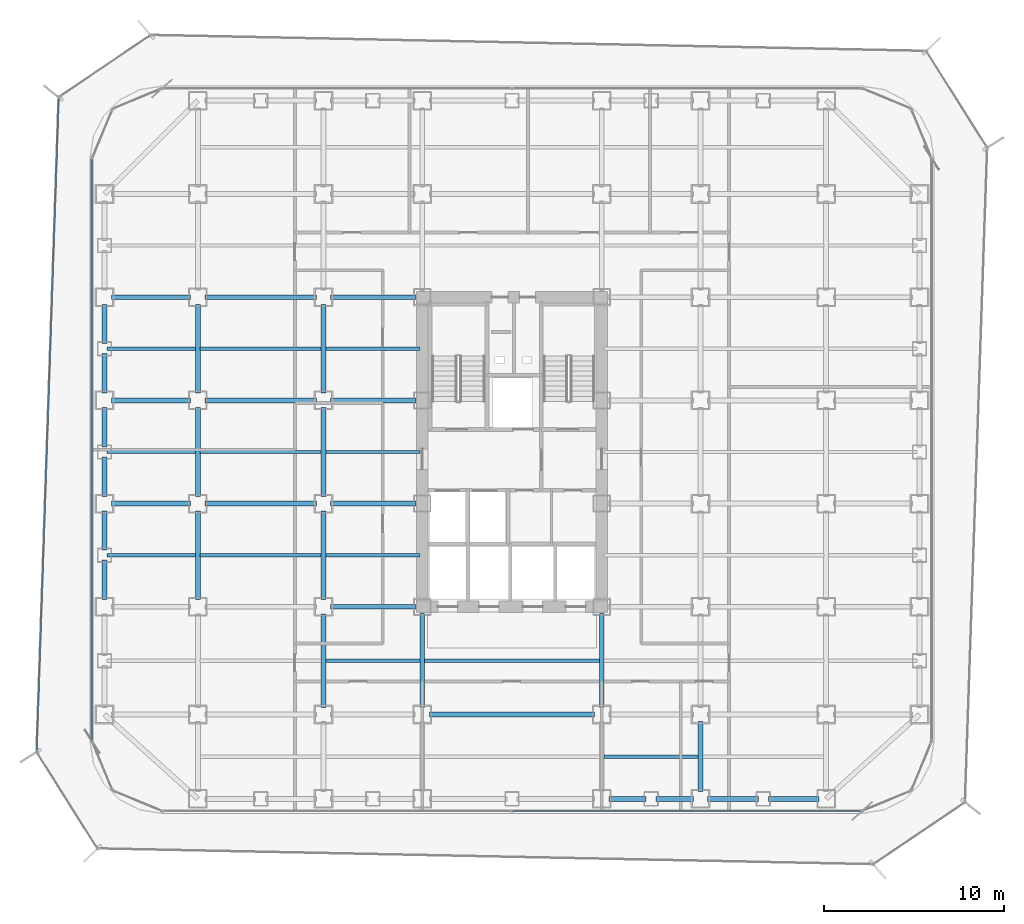
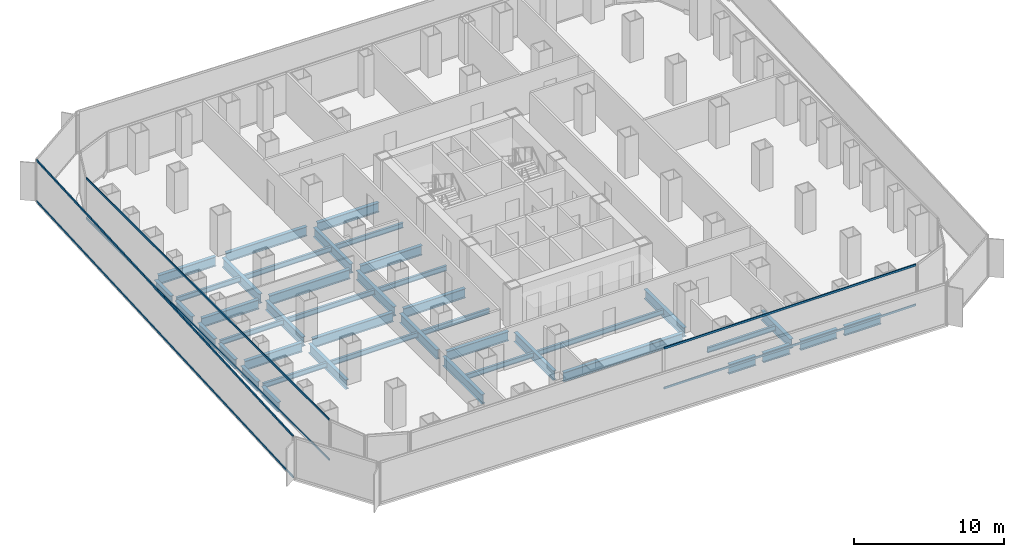
# One storey, part 5 of 21: 43 beams, 6 members, 3 elements without a shape of their own.
"""IFC4 building model written with IfcOpenShell, lengths in metres."""

from ifc_helpers import new_model, si_unit, direction, frame, origin, origin_2d, place, context, subcontext, project, spatial, hollow_rectangle, i_section, extrude, source, transform, mapped, material, layer, layer_set, material_profile, profile_set, type_object, element, aggregate, save


model = new_model("IFC4")

# Units and contexts
model_context = context("Model", 3, precision=1e-05, world=origin(), true_north=direction((0.0, 1.0)))
body_context = subcontext(model_context, "Body", "Model", "MODEL_VIEW")
ifc_project = project(units=[si_unit("LENGTHUNIT", "METRE"), si_unit("AREAUNIT", "SQUARE_METRE"), si_unit("VOLUMEUNIT", "CUBIC_METRE"), si_unit("PLANEANGLEUNIT", "RADIAN"), si_unit("MASSUNIT", "GRAM", prefix="KILO")], contexts=[model_context])

# Site, building, storey
site_placement = place(None, origin())
site = spatial("IfcSite", under=ifc_project, at=site_placement, CompositionType="ELEMENT")
building_placement = place(site_placement, origin())
building = spatial("IfcBuilding", under=site, at=building_placement, Name="Kolveth Station Tower", CompositionType="ELEMENT")
storey_placement = place(building_placement, frame((0.0, 0.0, 29.699951171875)))
storey = spatial("IfcBuildingStorey", under=building, at=storey_placement, Name="L07", CompositionType="ELEMENT", Elevation=29.699951171875)

# Beams
ifc_material_1 = material(Name="Steel S355", Category="steel")
ifc_material_profile_1 = material_profile(ifc_material_1, i_section(OverallWidth=0.26904296875, OverallDepth=0.77490234375, WebThickness=0.01708984375, FlangeThickness=0.0283203125, at=origin_2d()), Name="W760x220")
ifc_profile_set_1 = profile_set([ifc_material_profile_1], Name="Steel S355")
beam_type_1 = type_object("IfcBeamType", Name="Beam_SP1", PredefinedType="SPANDREL", material=ifc_profile_set_1)
shared_shape_1 = source(origin(), body_context, "Body", "SweptSolid", [
    extrude(i_section(OverallWidth=0.26904296875, OverallDepth=0.77490234375, WebThickness=0.01708984375, FlangeThickness=0.0283203125, at=origin_2d()), origin(), (0.0, 0.0, 1.0), 2.820068359375),
])
for number, where, z_axis, x_axis, name in (
    (1, (34.39990234375, 0.800048828125, -0.66748046875), (1.0, 0.0, 0.0), (0.0, 1.0, 0.0), "L07 Perimeter Spandrel BM-L07-PS-9"),
    (2, (37.780029296875, 0.800048828125, -0.66748046875), (1.0, 0.0, 0.0), (0.0, 1.0, 0.0), "L07 Perimeter Spandrel BM-L07-PS-10"),
):
    element("IfcBeam", number, at=place(storey_placement, frame(where, z_axis=z_axis, x_axis=x_axis)), inside=storey, type_object=beam_type_1, Name=name, PredefinedType="SPANDREL", context=body_context, shape_type="MappedRepresentation", body=[
        mapped(shared_shape_1, transform((0.0, 0.0, 0.0), x_axis=(1.0, 0.0, 0.0), y_axis=(0.0, 1.0, 0.0), z_axis=(0.0, 0.0, 1.0), scale=1.0)),
    ])
shared_shape_2 = source(origin(), body_context, "Body", "SweptSolid", [
    extrude(i_section(OverallWidth=0.26904296875, OverallDepth=0.77490234375, WebThickness=0.01708984375, FlangeThickness=0.0283203125, at=origin_2d()), origin(), (0.0, 0.0, 1.0), 2.070068359375),
])
for number, where, z_axis, x_axis, name in (
    (3, (28.89990234375, 0.800048828125, -0.66748046875), (1.0, 0.0, 0.0), (0.0, 1.0, 0.0), "L07 Perimeter Spandrel BM-L07-PS-7"),
    (4, (31.530029296875, 0.800048828125, -0.66748046875), (1.0, 0.0, 0.0), (0.0, 1.0, 0.0), "L07 Perimeter Spandrel BM-L07-PS-8"),
):
    element("IfcBeam", number, at=place(storey_placement, frame(where, z_axis=z_axis, x_axis=x_axis)), inside=storey, type_object=beam_type_1, Name=name, PredefinedType="SPANDREL", context=body_context, shape_type="MappedRepresentation", body=[
        mapped(shared_shape_2, transform((0.0, 0.0, 0.0), x_axis=(1.0, 0.0, 0.0), y_axis=(0.0, 1.0, 0.0), z_axis=(0.0, 0.0, 1.0), scale=1.0)),
    ])
shared_shape_3 = source(origin(), body_context, "Body", "SweptSolid", [
    extrude(i_section(OverallWidth=0.26904296875, OverallDepth=0.77490234375, WebThickness=0.01708984375, FlangeThickness=0.0283203125, at=origin_2d()), origin(), (0.0, 0.0, 1.0), 2.2001953125),
])
for number, where, z_axis, x_axis, name in (
    (5, (0.800048828125, 11.89990234375, -0.66748046875), (0.0, 1.0, 0.0), (-1.0, 0.0, 0.0), "L07 Perimeter Spandrel BM-L07-PW-3"),
    (6, (0.800048828125, 20.39990234375, -0.66748046875), (0.0, 1.0, 0.0), (-1.0, 0.0, 0.0), "L07 Perimeter Spandrel BM-L07-PW-6"),
    (7, (0.800048828125, 23.39990234375, -0.66748046875), (0.0, 1.0, 0.0), (-1.0, 0.0, 0.0), "L07 Perimeter Spandrel BM-L07-PW-7"),
):
    element("IfcBeam", number, at=place(storey_placement, frame(where, z_axis=z_axis, x_axis=x_axis)), inside=storey, type_object=beam_type_1, Name=name, PredefinedType="SPANDREL", context=body_context, shape_type="MappedRepresentation", body=[
        mapped(shared_shape_3, transform((0.0, 0.0, 0.0), x_axis=(1.0, 0.0, 0.0), y_axis=(0.0, 1.0, 0.0), z_axis=(0.0, 0.0, 1.0), scale=1.0)),
    ])
shared_shape_4 = source(origin(), body_context, "Body", "SweptSolid", [
    extrude(i_section(OverallWidth=0.26904296875, OverallDepth=0.77490234375, WebThickness=0.01708984375, FlangeThickness=0.0283203125, at=origin_2d()), origin(), (0.0, 0.0, 1.0), 2.190185546875),
])
for number, where, z_axis, x_axis, name in (
    (8, (0.800048828125, 14.659912109375, -0.66748046875), (0.0, 1.0, 0.0), (-1.0, 0.0, 0.0), "L07 Perimeter Spandrel BM-L07-PW-4"),
    (9, (0.800048828125, 17.64990234375, -0.66748046875), (0.0, 1.0, 0.0), (-1.0, 0.0, 0.0), "L07 Perimeter Spandrel BM-L07-PW-5"),
    (10, (0.800048828125, 26.159912109375, -0.66748046875), (0.0, 1.0, 0.0), (-1.0, 0.0, 0.0), "L07 Perimeter Spandrel BM-L07-PW-8"),
):
    element("IfcBeam", number, at=place(storey_placement, frame(where, z_axis=z_axis, x_axis=x_axis)), inside=storey, type_object=beam_type_1, Name=name, PredefinedType="SPANDREL", context=body_context, shape_type="MappedRepresentation", body=[
        mapped(shared_shape_4, transform((0.0, 0.0, 0.0), x_axis=(1.0, 0.0, 0.0), y_axis=(0.0, 1.0, 0.0), z_axis=(0.0, 0.0, 1.0), scale=1.0)),
    ])
ifc_material_profile_2 = material_profile(ifc_material_1, i_section(OverallWidth=0.26708984375, OverallDepth=0.76611328125, WebThickness=0.014892578125, FlangeThickness=0.023681640625, at=origin_2d()), Name="W760x185")
ifc_profile_set_2 = profile_set([ifc_material_profile_2], Name="Steel S355")
beam_type_2 = type_object("IfcBeamType", Name="Beam_B3", PredefinedType="BEAM", material=ifc_profile_set_2)
shared_shape_5 = source(origin(), body_context, "Body", "SweptSolid", [
    extrude(i_section(OverallWidth=0.26708984375, OverallDepth=0.76611328125, WebThickness=0.014892578125, FlangeThickness=0.023681640625, at=origin_2d()), origin(), (0.0, 0.0, 1.0), 4.400146484375),
])
for number, where, z_axis, x_axis, name in (
    (11, (1.199951171875, 17.25, -0.662841796875), (1.0, 0.0, 0.0), (0.0, 1.0, 0.0), "L07 Primary Girder BM-L07-GY172-1"),
    (12, (1.199951171875, 23.0, -0.662841796875), (1.0, 0.0, 0.0), (0.0, 1.0, 0.0), "L07 Primary Girder BM-L07-GY230-1"),
    (13, (1.199951171875, 28.75, -0.662841796875), (1.0, 0.0, 0.0), (0.0, 1.0, 0.0), "L07 Primary Girder BM-L07-GY287-1"),
):
    element("IfcBeam", number, at=place(storey_placement, frame(where, z_axis=z_axis, x_axis=x_axis)), inside=storey, type_object=beam_type_2, Name=name, PredefinedType="BEAM", context=body_context, shape_type="MappedRepresentation", body=[
        mapped(shared_shape_5, transform((0.0, 0.0, 0.0), x_axis=(1.0, 0.0, 0.0), y_axis=(0.0, 1.0, 0.0), z_axis=(0.0, 0.0, 1.0), scale=1.0)),
    ])
shared_shape_6 = source(origin(), body_context, "Body", "SweptSolid", [
    extrude(i_section(OverallWidth=0.26708984375, OverallDepth=0.76611328125, WebThickness=0.014892578125, FlangeThickness=0.023681640625, at=origin_2d()), origin(), (0.0, 0.0, 1.0), 6.2001953125),
])
for number, where, z_axis, x_axis, name in (
    (14, (6.39990234375, 17.25, -0.662841796875), (1.0, 0.0, 0.0), (0.0, 1.0, 0.0), "L07 Primary Girder BM-L07-GY172-2"),
    (15, (6.39990234375, 23.0, -0.662841796875), (1.0, 0.0, 0.0), (0.0, 1.0, 0.0), "L07 Primary Girder BM-L07-GY230-2"),
    (16, (6.39990234375, 28.75, -0.662841796875), (1.0, 0.0, 0.0), (0.0, 1.0, 0.0), "L07 Primary Girder BM-L07-GY287-2"),
):
    element("IfcBeam", number, at=place(storey_placement, frame(where, z_axis=z_axis, x_axis=x_axis)), inside=storey, type_object=beam_type_2, Name=name, PredefinedType="BEAM", context=body_context, shape_type="MappedRepresentation", body=[
        mapped(shared_shape_6, transform((0.0, 0.0, 0.0), x_axis=(1.0, 0.0, 0.0), y_axis=(0.0, 1.0, 0.0), z_axis=(0.0, 0.0, 1.0), scale=1.0)),
    ])
shared_shape_7 = source(origin(), body_context, "Body", "SweptSolid", [
    extrude(i_section(OverallWidth=0.26708984375, OverallDepth=0.76611328125, WebThickness=0.014892578125, FlangeThickness=0.023681640625, at=origin_2d()), origin(), (0.0, 0.0, 1.0), 9.2001953125),
])
beam_1_placement = place(storey_placement, frame((18.89990234375, 5.5, -0.662841796875), z_axis=(1.0, 0.0, 0.0), x_axis=(0.0, 1.0, 0.0)))
element("IfcBeam", 17, at=beam_1_placement, inside=storey, type_object=beam_type_2, Name="L07 Primary Girder BM-L07-GY55-4", PredefinedType="BEAM", context=body_context, shape_type="MappedRepresentation", body=[
    mapped(shared_shape_7, transform((0.0, 0.0, 0.0), x_axis=(1.0, 0.0, 0.0), y_axis=(0.0, 1.0, 0.0), z_axis=(0.0, 0.0, 1.0), scale=1.0)),
])
shared_shape_8 = source(origin(), body_context, "Body", "SweptSolid", [
    extrude(i_section(OverallWidth=0.26708984375, OverallDepth=0.76611328125, WebThickness=0.014892578125, FlangeThickness=0.023681640625, at=origin_2d()), origin(), (0.0, 0.0, 1.0), 4.739990234375),
])
for number, where, z_axis, x_axis, name in (
    (18, (13.39990234375, 11.5, -0.662841796875), (1.0, 0.0, 0.0), (0.0, 1.0, 0.0), "L07 Primary Girder BM-L07-GY115-3"),
    (19, (13.39990234375, 17.25, -0.662841796875), (1.0, 0.0, 0.0), (0.0, 1.0, 0.0), "L07 Primary Girder BM-L07-GY172-3"),
    (20, (13.39990234375, 23.0, -0.662841796875), (1.0, 0.0, 0.0), (0.0, 1.0, 0.0), "L07 Primary Girder BM-L07-GY230-3"),
    (21, (13.39990234375, 28.75, -0.662841796875), (1.0, 0.0, 0.0), (0.0, 1.0, 0.0), "L07 Primary Girder BM-L07-GY287-3"),
):
    element("IfcBeam", number, at=place(storey_placement, frame(where, z_axis=z_axis, x_axis=x_axis)), inside=storey, type_object=beam_type_2, Name=name, PredefinedType="BEAM", context=body_context, shape_type="MappedRepresentation", body=[
        mapped(shared_shape_8, transform((0.0, 0.0, 0.0), x_axis=(1.0, 0.0, 0.0), y_axis=(0.0, 1.0, 0.0), z_axis=(0.0, 0.0, 1.0), scale=1.0)),
    ])
shared_shape_9 = source(origin(), body_context, "Body", "SweptSolid", [
    extrude(i_section(OverallWidth=0.26708984375, OverallDepth=0.76611328125, WebThickness=0.014892578125, FlangeThickness=0.023681640625, at=origin_2d()), origin(), (0.0, 0.0, 1.0), 3.900146484375),
])
beam_2_placement = place(storey_placement, frame((34.0, 1.199951171875, -0.662841796875), z_axis=(0.0, 1.0, 0.0), x_axis=(-1.0, 0.0, 0.0)))
element("IfcBeam", 22, at=beam_2_placement, inside=storey, type_object=beam_type_2, Name="L07 Primary Girder BM-L07-GX340-1", PredefinedType="BEAM", context=body_context, shape_type="MappedRepresentation", body=[
    mapped(shared_shape_9, transform((0.0, 0.0, 0.0), x_axis=(1.0, 0.0, 0.0), y_axis=(0.0, 1.0, 0.0), z_axis=(0.0, 0.0, 1.0), scale=1.0)),
])
shared_shape_10 = source(origin(), body_context, "Body", "SweptSolid", [
    extrude(i_section(OverallWidth=0.26708984375, OverallDepth=0.76611328125, WebThickness=0.014892578125, FlangeThickness=0.023681640625, at=origin_2d()), origin(), (0.0, 0.0, 1.0), 5.2001953125),
])
beam_3_placement = place(storey_placement, frame((13.0, 5.89990234375, -0.662841796875), z_axis=(0.0, 1.0, 0.0), x_axis=(-1.0, 0.0, 0.0)))
element("IfcBeam", 23, at=beam_3_placement, inside=storey, type_object=beam_type_2, Name="L07 Primary Girder BM-L07-GX130-2", PredefinedType="BEAM", context=body_context, shape_type="MappedRepresentation", body=[
    mapped(shared_shape_10, transform((0.0, 0.0, 0.0), x_axis=(1.0, 0.0, 0.0), y_axis=(0.0, 1.0, 0.0), z_axis=(0.0, 0.0, 1.0), scale=1.0)),
])
shared_shape_11 = source(origin(), body_context, "Body", "SweptSolid", [
    extrude(i_section(OverallWidth=0.26708984375, OverallDepth=0.76611328125, WebThickness=0.014892578125, FlangeThickness=0.023681640625, at=origin_2d()), origin(), (0.0, 0.0, 1.0), 4.9501953125),
])
for number, where, z_axis, x_axis, name in (
    (24, (6.0, 11.89990234375, -0.662841796875), (0.0, 1.0, 0.0), (-1.0, 0.0, 0.0), "L07 Primary Girder BM-L07-GX60-3"),
    (25, (6.0, 17.64990234375, -0.662841796875), (0.0, 1.0, 0.0), (-1.0, 0.0, 0.0), "L07 Primary Girder BM-L07-GX60-4"),
    (26, (6.0, 23.39990234375, -0.662841796875), (0.0, 1.0, 0.0), (-1.0, 0.0, 0.0), "L07 Primary Girder BM-L07-GX60-5"),
    (27, (13.0, 11.89990234375, -0.662841796875), (0.0, 1.0, 0.0), (-1.0, 0.0, 0.0), "L07 Primary Girder BM-L07-GX130-3"),
    (28, (13.0, 17.64990234375, -0.662841796875), (0.0, 1.0, 0.0), (-1.0, 0.0, 0.0), "L07 Primary Girder BM-L07-GX130-4"),
    (29, (13.0, 23.39990234375, -0.662841796875), (0.0, 1.0, 0.0), (-1.0, 0.0, 0.0), "L07 Primary Girder BM-L07-GX130-5"),
):
    element("IfcBeam", number, at=place(storey_placement, frame(where, z_axis=z_axis, x_axis=x_axis)), inside=storey, type_object=beam_type_2, Name=name, PredefinedType="BEAM", context=body_context, shape_type="MappedRepresentation", body=[
        mapped(shared_shape_11, transform((0.0, 0.0, 0.0), x_axis=(1.0, 0.0, 0.0), y_axis=(0.0, 1.0, 0.0), z_axis=(0.0, 0.0, 1.0), scale=1.0)),
    ])
shared_shape_12 = source(origin(), body_context, "Body", "SweptSolid", [
    extrude(i_section(OverallWidth=0.26708984375, OverallDepth=0.76611328125, WebThickness=0.014892578125, FlangeThickness=0.023681640625, at=origin_2d()), origin(), (0.0, 0.0, 1.0), 5.239990234375),
])
for number, where, z_axis, x_axis, name in (
    (30, (18.5, 5.89990234375, -0.662841796875), (0.0, 1.0, 0.0), (-1.0, 0.0, 0.0), "L07 Primary Girder BM-L07-GX185-2"),
    (31, (28.5, 5.89990234375, -0.662841796875), (0.0, 1.0, 0.0), (-1.0, 0.0, 0.0), "L07 Primary Girder BM-L07-GX285-2"),
):
    element("IfcBeam", number, at=place(storey_placement, frame(where, z_axis=z_axis, x_axis=x_axis)), inside=storey, type_object=beam_type_2, Name=name, PredefinedType="BEAM", context=body_context, shape_type="MappedRepresentation", body=[
        mapped(shared_shape_12, transform((0.0, 0.0, 0.0), x_axis=(1.0, 0.0, 0.0), y_axis=(0.0, 1.0, 0.0), z_axis=(0.0, 0.0, 1.0), scale=1.0)),
    ])
ifc_material_profile_3 = material_profile(ifc_material_1, i_section(OverallWidth=0.177978515625, OverallDepth=0.406982421875, WebThickness=0.0078125, FlangeThickness=0.0126953125, at=origin_2d()), Name="W410x60")
ifc_profile_set_3 = profile_set([ifc_material_profile_3], Name="Steel S355")
beam_type_3 = type_object("IfcBeamType", Name="Beam_J1", PredefinedType="JOIST", material=ifc_profile_set_3)
shared_shape_13 = source(origin(), body_context, "Body", "SweptSolid", [
    extrude(i_section(OverallWidth=0.177978515625, OverallDepth=0.406982421875, WebThickness=0.0078125, FlangeThickness=0.0126953125, at=origin_2d()), origin(), (0.0, 0.0, 1.0), 4.935791015625),
])
for number, where, z_axis, x_axis, name in (
    (32, (0.9326171875, 14.375, -0.4833984375), (1.0, 0.0, 0.0), (0.0, 1.0, 0.0), "L07 Secondary Joist JST-L07-1-3"),
    (33, (0.9326171875, 20.125, -0.4833984375), (1.0, 0.0, 0.0), (0.0, 1.0, 0.0), "L07 Secondary Joist JST-L07-1-4"),
    (34, (0.9326171875, 25.875, -0.4833984375), (1.0, 0.0, 0.0), (0.0, 1.0, 0.0), "L07 Secondary Joist JST-L07-1-5"),
):
    element("IfcBeam", number, at=place(storey_placement, frame(where, z_axis=z_axis, x_axis=x_axis)), inside=storey, type_object=beam_type_3, Name=name, PredefinedType="JOIST", context=body_context, shape_type="MappedRepresentation", body=[
        mapped(shared_shape_13, transform((0.0, 0.0, 0.0), x_axis=(1.0, 0.0, 0.0), y_axis=(0.0, 1.0, 0.0), z_axis=(0.0, 0.0, 1.0), scale=1.0)),
    ])
shared_shape_14 = source(origin(), body_context, "Body", "SweptSolid", [
    extrude(i_section(OverallWidth=0.177978515625, OverallDepth=0.406982421875, WebThickness=0.0078125, FlangeThickness=0.0126953125, at=origin_2d()), origin(), (0.0, 0.0, 1.0), 6.73681640625),
])
for number, where, z_axis, x_axis, name in (
    (35, (6.131591796875, 14.375, -0.4833984375), (1.0, 0.0, 0.0), (0.0, 1.0, 0.0), "L07 Secondary Joist JST-L07-2-3"),
    (36, (6.131591796875, 20.125, -0.4833984375), (1.0, 0.0, 0.0), (0.0, 1.0, 0.0), "L07 Secondary Joist JST-L07-2-4"),
    (37, (6.131591796875, 25.875, -0.4833984375), (1.0, 0.0, 0.0), (0.0, 1.0, 0.0), "L07 Secondary Joist JST-L07-2-5"),
):
    element("IfcBeam", number, at=place(storey_placement, frame(where, z_axis=z_axis, x_axis=x_axis)), inside=storey, type_object=beam_type_3, Name=name, PredefinedType="JOIST", context=body_context, shape_type="MappedRepresentation", body=[
        mapped(shared_shape_14, transform((0.0, 0.0, 0.0), x_axis=(1.0, 0.0, 0.0), y_axis=(0.0, 1.0, 0.0), z_axis=(0.0, 0.0, 1.0), scale=1.0)),
    ])
shared_shape_15 = source(origin(), body_context, "Body", "SweptSolid", [
    extrude(i_section(OverallWidth=0.177978515625, OverallDepth=0.406982421875, WebThickness=0.0078125, FlangeThickness=0.0126953125, at=origin_2d()), origin(), (0.0, 0.0, 1.0), 5.23681640625),
])
for number, where, z_axis, x_axis, name in (
    (38, (13.131591796875, 8.5, -0.4833984375), (1.0, 0.0, 0.0), (0.0, 1.0, 0.0), "L07 Secondary Joist JST-L07-3-2"),
    (39, (13.131591796875, 14.375, -0.4833984375), (1.0, 0.0, 0.0), (0.0, 1.0, 0.0), "L07 Secondary Joist JST-L07-3-3"),
    (40, (13.131591796875, 20.125, -0.4833984375), (1.0, 0.0, 0.0), (0.0, 1.0, 0.0), "L07 Secondary Joist JST-L07-3-4"),
    (41, (13.131591796875, 25.875, -0.4833984375), (1.0, 0.0, 0.0), (0.0, 1.0, 0.0), "L07 Secondary Joist JST-L07-3-5"),
    (42, (28.631591796875, 3.14990234375, -0.4833984375), (1.0, 0.0, 0.0), (0.0, 1.0, 0.0), "L07 Secondary Joist JST-L07-5-1"),
):
    element("IfcBeam", number, at=place(storey_placement, frame(where, z_axis=z_axis, x_axis=x_axis)), inside=storey, type_object=beam_type_3, Name=name, PredefinedType="JOIST", context=body_context, shape_type="MappedRepresentation", body=[
        mapped(shared_shape_15, transform((0.0, 0.0, 0.0), x_axis=(1.0, 0.0, 0.0), y_axis=(0.0, 1.0, 0.0), z_axis=(0.0, 0.0, 1.0), scale=1.0)),
    ])
shared_shape_16 = source(origin(), body_context, "Body", "SweptSolid", [
    extrude(i_section(OverallWidth=0.177978515625, OverallDepth=0.406982421875, WebThickness=0.0078125, FlangeThickness=0.0126953125, at=origin_2d()), origin(), (0.0, 0.0, 1.0), 9.73681640625),
])
beam_4_placement = place(storey_placement, frame((18.631591796875, 8.5, -0.4833984375), z_axis=(1.0, 0.0, 0.0), x_axis=(0.0, 1.0, 0.0)))
element("IfcBeam", 43, at=beam_4_placement, inside=storey, type_object=beam_type_3, Name="L07 Secondary Joist JST-L07-4-2", PredefinedType="JOIST", context=body_context, shape_type="MappedRepresentation", body=[
    mapped(shared_shape_16, transform((0.0, 0.0, 0.0), x_axis=(1.0, 0.0, 0.0), y_axis=(0.0, 1.0, 0.0), z_axis=(0.0, 0.0, 1.0), scale=1.0)),
])

# Curtain wall, members
ifc_material_2 = material(Name="Aluminium 6063-T6 and low-E dark glass", Category="aluminium")
ifc_layer_1 = layer(ifc_material_2, 0.179931640625)
ifc_layer_set_1 = layer_set([ifc_layer_1], Name="Aluminium 6063-T6 and low-E dark glass")
curtain_wall_type_1 = type_object("IfcCurtainWallType", Name="CurtainWall_CW-Z1", PredefinedType="NOTDEFINED", material=ifc_layer_set_1)
curtain_wall_1_placement = place(storey_placement, origin())
curtain_wall_1 = element("IfcCurtainWall", 44, at=curtain_wall_1_placement, inside=storey, type_object=curtain_wall_type_1, Name="L07 Inner Thermal Curtain Wall 9", PredefinedType="NOTDEFINED")
ifc_material_3 = material(Name="Black anodized aluminium 6063-T6", Category="aluminium")
ifc_material_profile_4 = material_profile(ifc_material_3, hollow_rectangle(XDim=0.074951171875, YDim=0.159912109375, WallThickness=0.0048828125, at=origin_2d()), Name="ALU-75x160x5")
ifc_profile_set_4 = profile_set([ifc_material_profile_4], Name="Black anodized aluminium 6063-T6")
member_type_1 = type_object("IfcMemberType", Name="Transom_TR1", PredefinedType="USERDEFINED", material=ifc_profile_set_4)
shared_shape_17 = source(origin(), body_context, "Body", "SweptSolid", [
    extrude(hollow_rectangle(XDim=0.074951171875, YDim=0.159912109375, WallThickness=0.0048828125, at=origin_2d()), origin(), (0.0, 0.0, 1.0), 32.35009765625),
])
member_1_placement = place(storey_placement, frame((0.1201171875, 36.425048828125, 0.03759765625), z_axis=(0.0, -1.0, 0.0), x_axis=(1.0, 0.0, 0.0)))
member_1 = element("IfcMember", 45, at=member_1_placement, type_object=member_type_1, Name="CW-Z1 transom 1.1", ObjectType="TRANSOM", PredefinedType="USERDEFINED", context=body_context, shape_type="MappedRepresentation", body=[
    mapped(shared_shape_17, transform((0.0, 0.0, 0.0), x_axis=(1.0, 0.0, 0.0), y_axis=(0.0, 1.0, 0.0), z_axis=(0.0, 0.0, 1.0), scale=1.0)),
])
member_2_placement = place(storey_placement, frame((0.1201171875, 36.425048828125, 3.282470703125), z_axis=(0.0, -1.0, 0.0), x_axis=(1.0, 0.0, 0.0)))
member_2 = element("IfcMember", 46, at=member_2_placement, type_object=member_type_1, Name="CW-Z1 transom 1.2", ObjectType="TRANSOM", PredefinedType="USERDEFINED", context=body_context, shape_type="MappedRepresentation", body=[
    mapped(shared_shape_17, transform((0.0, 0.0, 0.0), x_axis=(1.0, 0.0, 0.0), y_axis=(0.0, 1.0, 0.0), z_axis=(0.0, 0.0, 1.0), scale=1.0)),
])
aggregate(curtain_wall_1, [member_1, member_2])

curtain_wall_2_placement = place(storey_placement, origin())
curtain_wall_2 = element("IfcCurtainWall", 47, at=curtain_wall_2_placement, inside=storey, type_object=curtain_wall_type_1, Name="L07 Inner Thermal Curtain Wall 12", PredefinedType="NOTDEFINED")
shared_shape_18 = source(origin(), body_context, "Body", "SweptSolid", [
    extrude(hollow_rectangle(XDim=0.074951171875, YDim=0.159912109375, WallThickness=0.0048828125, at=origin_2d()), origin(), (0.0, 0.0, 1.0), 19.387451171875),
])
member_3_placement = place(storey_placement, frame((23.53759765625, 0.1201171875, 0.03759765625), z_axis=(1.0, 0.0, 0.0), x_axis=(0.0, 1.0, 0.0)))
member_3 = element("IfcMember", 48, at=member_3_placement, type_object=member_type_1, Name="CW-Z1 transom 2.1", ObjectType="TRANSOM", PredefinedType="USERDEFINED", context=body_context, shape_type="MappedRepresentation", body=[
    mapped(shared_shape_18, transform((0.0, 0.0, 0.0), x_axis=(1.0, 0.0, 0.0), y_axis=(0.0, 1.0, 0.0), z_axis=(0.0, 0.0, 1.0), scale=1.0)),
])
member_4_placement = place(storey_placement, frame((23.53759765625, 0.1201171875, 3.282470703125), z_axis=(1.0, 0.0, 0.0), x_axis=(0.0, 1.0, 0.0)))
member_4 = element("IfcMember", 49, at=member_4_placement, type_object=member_type_1, Name="CW-Z1 transom 2.2", ObjectType="TRANSOM", PredefinedType="USERDEFINED", context=body_context, shape_type="MappedRepresentation", body=[
    mapped(shared_shape_18, transform((0.0, 0.0, 0.0), x_axis=(1.0, 0.0, 0.0), y_axis=(0.0, 1.0, 0.0), z_axis=(0.0, 0.0, 1.0), scale=1.0)),
])
aggregate(curtain_wall_2, [member_3, member_4])

ifc_material_4 = material(Name="Black anodized aluminium 6063-T6 and dark solar glass", Category="aluminium")
ifc_layer_2 = layer(ifc_material_4, 0.159912109375)
ifc_layer_set_2 = layer_set([ifc_layer_2], Name="Black anodized aluminium 6063-T6 and dark solar glass")
curtain_wall_type_2 = type_object("IfcCurtainWallType", Name="OUTER SKIN CW-OS", PredefinedType="NOTDEFINED", material=ifc_layer_set_2)
curtain_wall_3_placement = place(storey_placement, origin())
curtain_wall_3 = element("IfcCurtainWall", 50, at=curtain_wall_3_placement, inside=storey, type_object=curtain_wall_type_2, Name="L07 Outer Ventilated Skin Curtain Wall 6", PredefinedType="NOTDEFINED")
ifc_material_profile_5 = material_profile(ifc_material_3, hollow_rectangle(XDim=0.080078125, YDim=0.14990234375, WallThickness=0.0048828125, at=origin_2d()), Name="ALU-80x150x5")
ifc_profile_set_5 = profile_set([ifc_material_profile_5], Name="Black anodized aluminium 6063-T6")
member_type_2 = type_object("IfcMemberType", Name="Transom_TR-OS", PredefinedType="USERDEFINED", material=ifc_profile_set_5)
shared_shape_19 = source(origin(), body_context, "Body", "SweptSolid", [
    extrude(hollow_rectangle(XDim=0.080078125, YDim=0.14990234375, WallThickness=0.0048828125, at=origin_2d()), origin(), (0.0, 0.0, 1.0), 36.313232421875),
])
member_5_placement = place(storey_placement, frame((-1.749755859375, 39.799072265625, 0.0400390625), z_axis=(-0.033723592292, -0.999431197894, 0.0), x_axis=(0.999431197894, -0.033723592292, 0.0)))
member_5 = element("IfcMember", 51, at=member_5_placement, type_object=member_type_2, Name="CW-OS transom 1.1", ObjectType="TRANSOM", PredefinedType="USERDEFINED", context=body_context, shape_type="MappedRepresentation", body=[
    mapped(shared_shape_19, transform((0.0, 0.0, 0.0), x_axis=(1.0, 0.0, 0.0), y_axis=(0.0, 1.0, 0.0), z_axis=(0.0, 0.0, 1.0), scale=1.0)),
])
member_6_placement = place(storey_placement, frame((-1.749755859375, 39.799072265625, 3.35009765625), z_axis=(-0.033723592292, -0.999431197894, 0.0), x_axis=(0.999431197894, -0.033723592292, 0.0)))
member_6 = element("IfcMember", 52, at=member_6_placement, type_object=member_type_2, Name="CW-OS transom 1.2", ObjectType="TRANSOM", PredefinedType="USERDEFINED", context=body_context, shape_type="MappedRepresentation", body=[
    mapped(shared_shape_19, transform((0.0, 0.0, 0.0), x_axis=(1.0, 0.0, 0.0), y_axis=(0.0, 1.0, 0.0), z_axis=(0.0, 0.0, 1.0), scale=1.0)),
])
aggregate(curtain_wall_3, [member_5, member_6])

save(model, "model.ifc")
